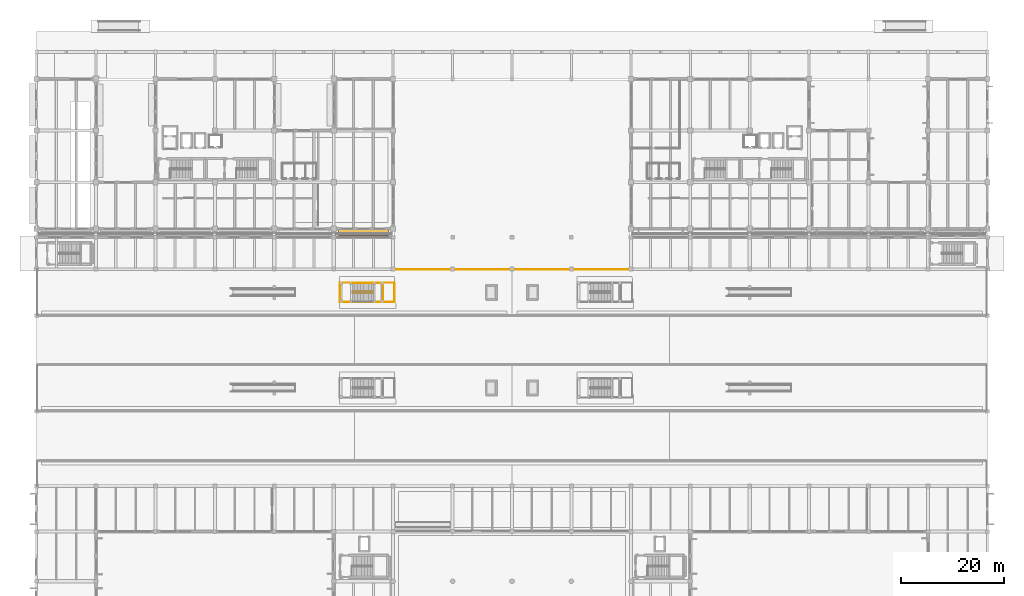
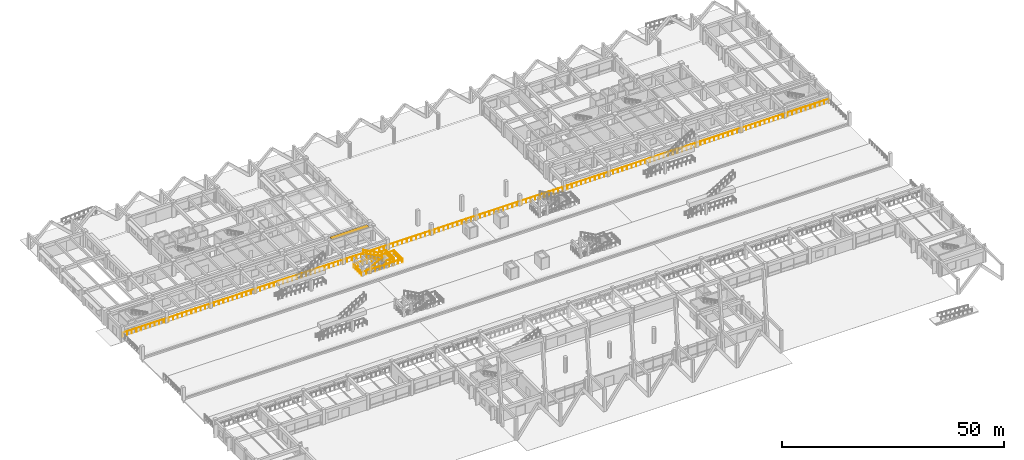
# One storey, part 103 of 109: 5 railings, 1 shading device.
"""IFC4 building model written with IfcOpenShell, lengths in metres."""

from ifc_helpers import new_model, si_unit, direction, frame, origin, origin_2d, place, context, subcontext, project, spatial, rectangle, circle, extrude, material, layer, layer_set, type_object, element, save


model = new_model("IFC4")

# Units and contexts
model_context = context("Model", 3, precision=1e-05, world=origin(), true_north=direction((0.0, 1.0)))
body_context = subcontext(model_context, "Body", "Model", "MODEL_VIEW")
ifc_project = project(units=[si_unit("LENGTHUNIT", "METRE"), si_unit("AREAUNIT", "SQUARE_METRE"), si_unit("VOLUMEUNIT", "CUBIC_METRE"), si_unit("PLANEANGLEUNIT", "RADIAN"), si_unit("MASSUNIT", "GRAM", prefix="KILO")], contexts=[model_context])

# Site, building, storey
site_placement = place(None, origin())
site = spatial("IfcSite", under=ifc_project, at=site_placement, CompositionType="ELEMENT")
building_placement = place(site_placement, origin())
building = spatial("IfcBuilding", under=site, at=building_placement, Name="Ologun Quay Terminus", CompositionType="ELEMENT")
storey_placement = place(building_placement, origin())
storey = spatial("IfcBuildingStorey", under=building, at=storey_placement, Name="L00", CompositionType="ELEMENT", Elevation=0.0)

# Railing
ifc_material_1 = material(Name="Glass", Category="glass")
railing_type_1 = type_object("IfcRailingType", Name="Concourse & Atrium Glazed Balustrade 1150", PredefinedType="BALUSTRADE", material=ifc_material_1)
railing_1_placement = place(storey_placement, frame((0.1201171875, 77.919921875, 1.25)))
element("IfcRailing", 1, at=railing_1_placement, inside=storey, type_object=railing_type_1, Name="BL-GL Platforms 2 and 4 North Edge Guard L00", PredefinedType="BALUSTRADE", context=body_context, shape_type="SweptSolid", body=[
    extrude(circle(Radius=0.02392578125, at=origin_2d()), frame((0.0, 0.0, 1.1259765625), z_axis=(1.0, 0.0, 0.0), x_axis=(0.0, 1.0, 0.0)), (0.0, 0.0, 1.0), 183.759765625),
    extrude(circle(Radius=0.02099609375, at=origin_2d()), origin(), (0.0, 0.0, 1.0), 1.101806640625),
    extrude(circle(Radius=0.02099609375, at=origin_2d()), frame((1.193359375, 0.0, 0.0)), (0.0, 0.0, 1.0), 1.101806640625),
    extrude(circle(Radius=0.02099609375, at=origin_2d()), frame((2.386474609375, 0.0, 0.0)), (0.0, 0.0, 1.0), 1.101806640625),
    extrude(circle(Radius=0.02099609375, at=origin_2d()), frame((3.579833984375, 0.0, 0.0)), (0.0, 0.0, 1.0), 1.101806640625),
    extrude(circle(Radius=0.02099609375, at=origin_2d()), frame((4.77294921875, 0.0, 0.0)), (0.0, 0.0, 1.0), 1.101806640625),
    extrude(circle(Radius=0.02099609375, at=origin_2d()), frame((5.96630859375, 0.0, 0.0)), (0.0, 0.0, 1.0), 1.101806640625),
    extrude(circle(Radius=0.02099609375, at=origin_2d()), frame((7.159423828125, 0.0, 0.0)), (0.0, 0.0, 1.0), 1.101806640625),
    extrude(circle(Radius=0.02099609375, at=origin_2d()), frame((8.352783203125, 0.0, 0.0)), (0.0, 0.0, 1.0), 1.101806640625),
    extrude(circle(Radius=0.02099609375, at=origin_2d()), frame((9.5458984375, 0.0, 0.0)), (0.0, 0.0, 1.0), 1.101806640625),
    extrude(circle(Radius=0.02099609375, at=origin_2d()), frame((10.7392578125, 0.0, 0.0)), (0.0, 0.0, 1.0), 1.101806640625),
    extrude(circle(Radius=0.02099609375, at=origin_2d()), frame((11.932373046875, 0.0, 0.0)), (0.0, 0.0, 1.0), 1.101806640625),
    extrude(circle(Radius=0.02099609375, at=origin_2d()), frame((13.125732421875, 0.0, 0.0)), (0.0, 0.0, 1.0), 1.101806640625),
    extrude(circle(Radius=0.02099609375, at=origin_2d()), frame((14.31884765625, 0.0, 0.0)), (0.0, 0.0, 1.0), 1.101806640625),
    extrude(circle(Radius=0.02099609375, at=origin_2d()), frame((15.51220703125, 0.0, 0.0)), (0.0, 0.0, 1.0), 1.101806640625),
    extrude(circle(Radius=0.02099609375, at=origin_2d()), frame((16.705322265625, 0.0, 0.0)), (0.0, 0.0, 1.0), 1.101806640625),
    extrude(circle(Radius=0.02099609375, at=origin_2d()), frame((17.898681640625, 0.0, 0.0)), (0.0, 0.0, 1.0), 1.101806640625),
    extrude(circle(Radius=0.02099609375, at=origin_2d()), frame((19.092041015625, 0.0, 0.0)), (0.0, 0.0, 1.0), 1.101806640625),
    extrude(circle(Radius=0.02099609375, at=origin_2d()), frame((20.28515625, 0.0, 0.0)), (0.0, 0.0, 1.0), 1.101806640625),
    extrude(circle(Radius=0.02099609375, at=origin_2d()), frame((21.478515625, 0.0, 0.0)), (0.0, 0.0, 1.0), 1.101806640625),
    extrude(circle(Radius=0.02099609375, at=origin_2d()), frame((22.671630859375, 0.0, 0.0)), (0.0, 0.0, 1.0), 1.101806640625),
    extrude(circle(Radius=0.02099609375, at=origin_2d()), frame((23.864990234375, 0.0, 0.0)), (0.0, 0.0, 1.0), 1.101806640625),
    extrude(circle(Radius=0.02099609375, at=origin_2d()), frame((25.05810546875, 0.0, 0.0)), (0.0, 0.0, 1.0), 1.101806640625),
    extrude(circle(Radius=0.02099609375, at=origin_2d()), frame((26.25146484375, 0.0, 0.0)), (0.0, 0.0, 1.0), 1.101806640625),
    extrude(circle(Radius=0.02099609375, at=origin_2d()), frame((27.444580078125, 0.0, 0.0)), (0.0, 0.0, 1.0), 1.101806640625),
    extrude(circle(Radius=0.02099609375, at=origin_2d()), frame((28.637939453125, 0.0, 0.0)), (0.0, 0.0, 1.0), 1.101806640625),
    extrude(circle(Radius=0.02099609375, at=origin_2d()), frame((29.8310546875, 0.0, 0.0)), (0.0, 0.0, 1.0), 1.101806640625),
    extrude(circle(Radius=0.02099609375, at=origin_2d()), frame((31.0244140625, 0.0, 0.0)), (0.0, 0.0, 1.0), 1.101806640625),
    extrude(circle(Radius=0.02099609375, at=origin_2d()), frame((32.217529296875, 0.0, 0.0)), (0.0, 0.0, 1.0), 1.101806640625),
    extrude(circle(Radius=0.02099609375, at=origin_2d()), frame((33.410888671875, 0.0, 0.0)), (0.0, 0.0, 1.0), 1.101806640625),
    extrude(circle(Radius=0.02099609375, at=origin_2d()), frame((34.60400390625, 0.0, 0.0)), (0.0, 0.0, 1.0), 1.101806640625),
    extrude(circle(Radius=0.02099609375, at=origin_2d()), frame((35.79736328125, 0.0, 0.0)), (0.0, 0.0, 1.0), 1.101806640625),
    extrude(circle(Radius=0.02099609375, at=origin_2d()), frame((36.99072265625, 0.0, 0.0)), (0.0, 0.0, 1.0), 1.101806640625),
    extrude(circle(Radius=0.02099609375, at=origin_2d()), frame((38.183837890625, 0.0, 0.0)), (0.0, 0.0, 1.0), 1.101806640625),
    extrude(circle(Radius=0.02099609375, at=origin_2d()), frame((39.377197265625, 0.0, 0.0)), (0.0, 0.0, 1.0), 1.101806640625),
    extrude(circle(Radius=0.02099609375, at=origin_2d()), frame((40.5703125, 0.0, 0.0)), (0.0, 0.0, 1.0), 1.101806640625),
    extrude(circle(Radius=0.02099609375, at=origin_2d()), frame((41.763671875, 0.0, 0.0)), (0.0, 0.0, 1.0), 1.101806640625),
    extrude(circle(Radius=0.02099609375, at=origin_2d()), frame((42.956787109375, 0.0, 0.0)), (0.0, 0.0, 1.0), 1.101806640625),
    extrude(circle(Radius=0.02099609375, at=origin_2d()), frame((44.150146484375, 0.0, 0.0)), (0.0, 0.0, 1.0), 1.101806640625),
    extrude(circle(Radius=0.02099609375, at=origin_2d()), frame((45.34326171875, 0.0, 0.0)), (0.0, 0.0, 1.0), 1.101806640625),
    extrude(circle(Radius=0.02099609375, at=origin_2d()), frame((46.53662109375, 0.0, 0.0)), (0.0, 0.0, 1.0), 1.101806640625),
    extrude(circle(Radius=0.02099609375, at=origin_2d()), frame((47.729736328125, 0.0, 0.0)), (0.0, 0.0, 1.0), 1.101806640625),
    extrude(circle(Radius=0.02099609375, at=origin_2d()), frame((48.923095703125, 0.0, 0.0)), (0.0, 0.0, 1.0), 1.101806640625),
    extrude(circle(Radius=0.02099609375, at=origin_2d()), frame((50.1162109375, 0.0, 0.0)), (0.0, 0.0, 1.0), 1.101806640625),
    extrude(circle(Radius=0.02099609375, at=origin_2d()), frame((51.3095703125, 0.0, 0.0)), (0.0, 0.0, 1.0), 1.101806640625),
    extrude(circle(Radius=0.02099609375, at=origin_2d()), frame((52.502685546875, 0.0, 0.0)), (0.0, 0.0, 1.0), 1.101806640625),
    extrude(circle(Radius=0.02099609375, at=origin_2d()), frame((53.696044921875, 0.0, 0.0)), (0.0, 0.0, 1.0), 1.101806640625),
    extrude(circle(Radius=0.02099609375, at=origin_2d()), frame((54.88916015625, 0.0, 0.0)), (0.0, 0.0, 1.0), 1.101806640625),
    extrude(circle(Radius=0.02099609375, at=origin_2d()), frame((56.08251953125, 0.0, 0.0)), (0.0, 0.0, 1.0), 1.101806640625),
    extrude(circle(Radius=0.02099609375, at=origin_2d()), frame((57.27587890625, 0.0, 0.0)), (0.0, 0.0, 1.0), 1.101806640625),
    extrude(circle(Radius=0.02099609375, at=origin_2d()), frame((58.468994140625, 0.0, 0.0)), (0.0, 0.0, 1.0), 1.101806640625),
    extrude(circle(Radius=0.02099609375, at=origin_2d()), frame((59.662353515625, 0.0, 0.0)), (0.0, 0.0, 1.0), 1.101806640625),
    extrude(circle(Radius=0.02099609375, at=origin_2d()), frame((60.85546875, 0.0, 0.0)), (0.0, 0.0, 1.0), 1.101806640625),
    extrude(circle(Radius=0.02099609375, at=origin_2d()), frame((62.048828125, 0.0, 0.0)), (0.0, 0.0, 1.0), 1.101806640625),
    extrude(circle(Radius=0.02099609375, at=origin_2d()), frame((63.241943359375, 0.0, 0.0)), (0.0, 0.0, 1.0), 1.101806640625),
    extrude(circle(Radius=0.02099609375, at=origin_2d()), frame((64.435302734375, 0.0, 0.0)), (0.0, 0.0, 1.0), 1.101806640625),
    extrude(circle(Radius=0.02099609375, at=origin_2d()), frame((65.62841796875, 0.0, 0.0)), (0.0, 0.0, 1.0), 1.101806640625),
    extrude(circle(Radius=0.02099609375, at=origin_2d()), frame((66.82177734375, 0.0, 0.0)), (0.0, 0.0, 1.0), 1.101806640625),
    extrude(circle(Radius=0.02099609375, at=origin_2d()), frame((68.014892578125, 0.0, 0.0)), (0.0, 0.0, 1.0), 1.101806640625),
    extrude(circle(Radius=0.02099609375, at=origin_2d()), frame((69.208251953125, 0.0, 0.0)), (0.0, 0.0, 1.0), 1.101806640625),
    extrude(circle(Radius=0.02099609375, at=origin_2d()), frame((70.4013671875, 0.0, 0.0)), (0.0, 0.0, 1.0), 1.101806640625),
    extrude(circle(Radius=0.02099609375, at=origin_2d()), frame((71.5947265625, 0.0, 0.0)), (0.0, 0.0, 1.0), 1.101806640625),
    extrude(circle(Radius=0.02099609375, at=origin_2d()), frame((72.787841796875, 0.0, 0.0)), (0.0, 0.0, 1.0), 1.101806640625),
    extrude(circle(Radius=0.02099609375, at=origin_2d()), frame((73.981201171875, 0.0, 0.0)), (0.0, 0.0, 1.0), 1.101806640625),
    extrude(circle(Radius=0.02099609375, at=origin_2d()), frame((75.174560546875, 0.0, 0.0)), (0.0, 0.0, 1.0), 1.101806640625),
    extrude(circle(Radius=0.02099609375, at=origin_2d()), frame((76.36767578125, 0.0, 0.0)), (0.0, 0.0, 1.0), 1.101806640625),
    extrude(circle(Radius=0.02099609375, at=origin_2d()), frame((77.56103515625, 0.0, 0.0)), (0.0, 0.0, 1.0), 1.101806640625),
    extrude(circle(Radius=0.02099609375, at=origin_2d()), frame((78.754150390625, 0.0, 0.0)), (0.0, 0.0, 1.0), 1.101806640625),
    extrude(circle(Radius=0.02099609375, at=origin_2d()), frame((79.947509765625, 0.0, 0.0)), (0.0, 0.0, 1.0), 1.101806640625),
    extrude(circle(Radius=0.02099609375, at=origin_2d()), frame((81.140625, 0.0, 0.0)), (0.0, 0.0, 1.0), 1.101806640625),
    extrude(circle(Radius=0.02099609375, at=origin_2d()), frame((82.333984375, 0.0, 0.0)), (0.0, 0.0, 1.0), 1.101806640625),
    extrude(circle(Radius=0.02099609375, at=origin_2d()), frame((83.527099609375, 0.0, 0.0)), (0.0, 0.0, 1.0), 1.101806640625),
    extrude(circle(Radius=0.02099609375, at=origin_2d()), frame((84.720458984375, 0.0, 0.0)), (0.0, 0.0, 1.0), 1.101806640625),
    extrude(circle(Radius=0.02099609375, at=origin_2d()), frame((85.91357421875, 0.0, 0.0)), (0.0, 0.0, 1.0), 1.101806640625),
    extrude(circle(Radius=0.02099609375, at=origin_2d()), frame((87.10693359375, 0.0, 0.0)), (0.0, 0.0, 1.0), 1.101806640625),
    extrude(circle(Radius=0.02099609375, at=origin_2d()), frame((88.300048828125, 0.0, 0.0)), (0.0, 0.0, 1.0), 1.101806640625),
    extrude(circle(Radius=0.02099609375, at=origin_2d()), frame((89.493408203125, 0.0, 0.0)), (0.0, 0.0, 1.0), 1.101806640625),
    extrude(circle(Radius=0.02099609375, at=origin_2d()), frame((90.6865234375, 0.0, 0.0)), (0.0, 0.0, 1.0), 1.101806640625),
    extrude(circle(Radius=0.02099609375, at=origin_2d()), frame((91.8798828125, 0.0, 0.0)), (0.0, 0.0, 1.0), 1.101806640625),
    extrude(circle(Radius=0.02099609375, at=origin_2d()), frame((93.0732421875, 0.0, 0.0)), (0.0, 0.0, 1.0), 1.101806640625),
    extrude(circle(Radius=0.02099609375, at=origin_2d()), frame((94.266357421875, 0.0, 0.0)), (0.0, 0.0, 1.0), 1.101806640625),
    extrude(circle(Radius=0.02099609375, at=origin_2d()), frame((95.459716796875, 0.0, 0.0)), (0.0, 0.0, 1.0), 1.101806640625),
    extrude(circle(Radius=0.02099609375, at=origin_2d()), frame((96.65283203125, 0.0, 0.0)), (0.0, 0.0, 1.0), 1.101806640625),
    extrude(circle(Radius=0.02099609375, at=origin_2d()), frame((97.84619140625, 0.0, 0.0)), (0.0, 0.0, 1.0), 1.101806640625),
    extrude(circle(Radius=0.02099609375, at=origin_2d()), frame((99.039306640625, 0.0, 0.0)), (0.0, 0.0, 1.0), 1.101806640625),
    extrude(circle(Radius=0.02099609375, at=origin_2d()), frame((100.232666015625, 0.0, 0.0)), (0.0, 0.0, 1.0), 1.101806640625),
    extrude(circle(Radius=0.02099609375, at=origin_2d()), frame((101.42578125, 0.0, 0.0)), (0.0, 0.0, 1.0), 1.101806640625),
    extrude(circle(Radius=0.02099609375, at=origin_2d()), frame((102.619140625, 0.0, 0.0)), (0.0, 0.0, 1.0), 1.101806640625),
    extrude(circle(Radius=0.02099609375, at=origin_2d()), frame((103.812255859375, 0.0, 0.0)), (0.0, 0.0, 1.0), 1.101806640625),
    extrude(circle(Radius=0.02099609375, at=origin_2d()), frame((105.005615234375, 0.0, 0.0)), (0.0, 0.0, 1.0), 1.101806640625),
    extrude(circle(Radius=0.02099609375, at=origin_2d()), frame((106.19873046875, 0.0, 0.0)), (0.0, 0.0, 1.0), 1.101806640625),
    extrude(circle(Radius=0.02099609375, at=origin_2d()), frame((107.39208984375, 0.0, 0.0)), (0.0, 0.0, 1.0), 1.101806640625),
    extrude(circle(Radius=0.02099609375, at=origin_2d()), frame((108.585205078125, 0.0, 0.0)), (0.0, 0.0, 1.0), 1.101806640625),
    extrude(circle(Radius=0.02099609375, at=origin_2d()), frame((109.778564453125, 0.0, 0.0)), (0.0, 0.0, 1.0), 1.101806640625),
    extrude(circle(Radius=0.02099609375, at=origin_2d()), frame((110.971923828125, 0.0, 0.0)), (0.0, 0.0, 1.0), 1.101806640625),
    extrude(circle(Radius=0.02099609375, at=origin_2d()), frame((112.1650390625, 0.0, 0.0)), (0.0, 0.0, 1.0), 1.101806640625),
    extrude(circle(Radius=0.02099609375, at=origin_2d()), frame((113.3583984375, 0.0, 0.0)), (0.0, 0.0, 1.0), 1.101806640625),
    extrude(circle(Radius=0.02099609375, at=origin_2d()), frame((114.551513671875, 0.0, 0.0)), (0.0, 0.0, 1.0), 1.101806640625),
    extrude(circle(Radius=0.02099609375, at=origin_2d()), frame((115.744873046875, 0.0, 0.0)), (0.0, 0.0, 1.0), 1.101806640625),
    extrude(circle(Radius=0.02099609375, at=origin_2d()), frame((116.93798828125, 0.0, 0.0)), (0.0, 0.0, 1.0), 1.101806640625),
    extrude(circle(Radius=0.02099609375, at=origin_2d()), frame((118.13134765625, 0.0, 0.0)), (0.0, 0.0, 1.0), 1.101806640625),
    extrude(circle(Radius=0.02099609375, at=origin_2d()), frame((119.324462890625, 0.0, 0.0)), (0.0, 0.0, 1.0), 1.101806640625),
    extrude(circle(Radius=0.02099609375, at=origin_2d()), frame((120.517822265625, 0.0, 0.0)), (0.0, 0.0, 1.0), 1.101806640625),
    extrude(circle(Radius=0.02099609375, at=origin_2d()), frame((121.7109375, 0.0, 0.0)), (0.0, 0.0, 1.0), 1.101806640625),
    extrude(circle(Radius=0.02099609375, at=origin_2d()), frame((122.904296875, 0.0, 0.0)), (0.0, 0.0, 1.0), 1.101806640625),
    extrude(circle(Radius=0.02099609375, at=origin_2d()), frame((124.097412109375, 0.0, 0.0)), (0.0, 0.0, 1.0), 1.101806640625),
    extrude(circle(Radius=0.02099609375, at=origin_2d()), frame((125.290771484375, 0.0, 0.0)), (0.0, 0.0, 1.0), 1.101806640625),
    extrude(circle(Radius=0.02099609375, at=origin_2d()), frame((126.48388671875, 0.0, 0.0)), (0.0, 0.0, 1.0), 1.101806640625),
    extrude(circle(Radius=0.02099609375, at=origin_2d()), frame((127.67724609375, 0.0, 0.0)), (0.0, 0.0, 1.0), 1.101806640625),
    extrude(circle(Radius=0.02099609375, at=origin_2d()), frame((128.87060546875, 0.0, 0.0)), (0.0, 0.0, 1.0), 1.101806640625),
    extrude(circle(Radius=0.02099609375, at=origin_2d()), frame((130.063720703125, 0.0, 0.0)), (0.0, 0.0, 1.0), 1.101806640625),
    extrude(circle(Radius=0.02099609375, at=origin_2d()), frame((131.257080078125, 0.0, 0.0)), (0.0, 0.0, 1.0), 1.101806640625),
    extrude(circle(Radius=0.02099609375, at=origin_2d()), frame((132.4501953125, 0.0, 0.0)), (0.0, 0.0, 1.0), 1.101806640625),
    extrude(circle(Radius=0.02099609375, at=origin_2d()), frame((133.6435546875, 0.0, 0.0)), (0.0, 0.0, 1.0), 1.101806640625),
    extrude(circle(Radius=0.02099609375, at=origin_2d()), frame((134.836669921875, 0.0, 0.0)), (0.0, 0.0, 1.0), 1.101806640625),
    extrude(circle(Radius=0.02099609375, at=origin_2d()), frame((136.030029296875, 0.0, 0.0)), (0.0, 0.0, 1.0), 1.101806640625),
    extrude(circle(Radius=0.02099609375, at=origin_2d()), frame((137.22314453125, 0.0, 0.0)), (0.0, 0.0, 1.0), 1.101806640625),
    extrude(circle(Radius=0.02099609375, at=origin_2d()), frame((138.41650390625, 0.0, 0.0)), (0.0, 0.0, 1.0), 1.101806640625),
    extrude(circle(Radius=0.02099609375, at=origin_2d()), frame((139.609619140625, 0.0, 0.0)), (0.0, 0.0, 1.0), 1.101806640625),
    extrude(circle(Radius=0.02099609375, at=origin_2d()), frame((140.802978515625, 0.0, 0.0)), (0.0, 0.0, 1.0), 1.101806640625),
    extrude(circle(Radius=0.02099609375, at=origin_2d()), frame((141.99609375, 0.0, 0.0)), (0.0, 0.0, 1.0), 1.101806640625),
    extrude(circle(Radius=0.02099609375, at=origin_2d()), frame((143.189453125, 0.0, 0.0)), (0.0, 0.0, 1.0), 1.101806640625),
    extrude(circle(Radius=0.02099609375, at=origin_2d()), frame((144.382568359375, 0.0, 0.0)), (0.0, 0.0, 1.0), 1.101806640625),
    extrude(circle(Radius=0.02099609375, at=origin_2d()), frame((145.575927734375, 0.0, 0.0)), (0.0, 0.0, 1.0), 1.101806640625),
    extrude(circle(Radius=0.02099609375, at=origin_2d()), frame((146.76904296875, 0.0, 0.0)), (0.0, 0.0, 1.0), 1.101806640625),
    extrude(circle(Radius=0.02099609375, at=origin_2d()), frame((147.96240234375, 0.0, 0.0)), (0.0, 0.0, 1.0), 1.101806640625),
    extrude(circle(Radius=0.02099609375, at=origin_2d()), frame((149.15576171875, 0.0, 0.0)), (0.0, 0.0, 1.0), 1.101806640625),
    extrude(circle(Radius=0.02099609375, at=origin_2d()), frame((150.348876953125, 0.0, 0.0)), (0.0, 0.0, 1.0), 1.101806640625),
    extrude(circle(Radius=0.02099609375, at=origin_2d()), frame((151.542236328125, 0.0, 0.0)), (0.0, 0.0, 1.0), 1.101806640625),
    extrude(circle(Radius=0.02099609375, at=origin_2d()), frame((152.7353515625, 0.0, 0.0)), (0.0, 0.0, 1.0), 1.101806640625),
    extrude(circle(Radius=0.02099609375, at=origin_2d()), frame((153.9287109375, 0.0, 0.0)), (0.0, 0.0, 1.0), 1.101806640625),
    extrude(circle(Radius=0.02099609375, at=origin_2d()), frame((155.121826171875, 0.0, 0.0)), (0.0, 0.0, 1.0), 1.101806640625),
    extrude(circle(Radius=0.02099609375, at=origin_2d()), frame((156.315185546875, 0.0, 0.0)), (0.0, 0.0, 1.0), 1.101806640625),
    extrude(circle(Radius=0.02099609375, at=origin_2d()), frame((157.50830078125, 0.0, 0.0)), (0.0, 0.0, 1.0), 1.101806640625),
    extrude(circle(Radius=0.02099609375, at=origin_2d()), frame((158.70166015625, 0.0, 0.0)), (0.0, 0.0, 1.0), 1.101806640625),
    extrude(circle(Radius=0.02099609375, at=origin_2d()), frame((159.894775390625, 0.0, 0.0)), (0.0, 0.0, 1.0), 1.101806640625),
    extrude(circle(Radius=0.02099609375, at=origin_2d()), frame((161.088134765625, 0.0, 0.0)), (0.0, 0.0, 1.0), 1.101806640625),
    extrude(circle(Radius=0.02099609375, at=origin_2d()), frame((162.28125, 0.0, 0.0)), (0.0, 0.0, 1.0), 1.101806640625),
    extrude(circle(Radius=0.02099609375, at=origin_2d()), frame((163.474609375, 0.0, 0.0)), (0.0, 0.0, 1.0), 1.101806640625),
    extrude(circle(Radius=0.02099609375, at=origin_2d()), frame((164.667724609375, 0.0, 0.0)), (0.0, 0.0, 1.0), 1.101806640625),
    extrude(circle(Radius=0.02099609375, at=origin_2d()), frame((165.861083984375, 0.0, 0.0)), (0.0, 0.0, 1.0), 1.101806640625),
    extrude(circle(Radius=0.02099609375, at=origin_2d()), frame((167.054443359375, 0.0, 0.0)), (0.0, 0.0, 1.0), 1.101806640625),
    extrude(circle(Radius=0.02099609375, at=origin_2d()), frame((168.24755859375, 0.0, 0.0)), (0.0, 0.0, 1.0), 1.101806640625),
    extrude(circle(Radius=0.02099609375, at=origin_2d()), frame((169.44091796875, 0.0, 0.0)), (0.0, 0.0, 1.0), 1.101806640625),
    extrude(circle(Radius=0.02099609375, at=origin_2d()), frame((170.634033203125, 0.0, 0.0)), (0.0, 0.0, 1.0), 1.101806640625),
    extrude(circle(Radius=0.02099609375, at=origin_2d()), frame((171.827392578125, 0.0, 0.0)), (0.0, 0.0, 1.0), 1.101806640625),
    extrude(circle(Radius=0.02099609375, at=origin_2d()), frame((173.0205078125, 0.0, 0.0)), (0.0, 0.0, 1.0), 1.101806640625),
    extrude(circle(Radius=0.02099609375, at=origin_2d()), frame((174.2138671875, 0.0, 0.0)), (0.0, 0.0, 1.0), 1.101806640625),
    extrude(circle(Radius=0.02099609375, at=origin_2d()), frame((175.406982421875, 0.0, 0.0)), (0.0, 0.0, 1.0), 1.101806640625),
    extrude(circle(Radius=0.02099609375, at=origin_2d()), frame((176.600341796875, 0.0, 0.0)), (0.0, 0.0, 1.0), 1.101806640625),
    extrude(circle(Radius=0.02099609375, at=origin_2d()), frame((177.79345703125, 0.0, 0.0)), (0.0, 0.0, 1.0), 1.101806640625),
    extrude(circle(Radius=0.02099609375, at=origin_2d()), frame((178.98681640625, 0.0, 0.0)), (0.0, 0.0, 1.0), 1.101806640625),
    extrude(circle(Radius=0.02099609375, at=origin_2d()), frame((180.179931640625, 0.0, 0.0)), (0.0, 0.0, 1.0), 1.101806640625),
    extrude(circle(Radius=0.02099609375, at=origin_2d()), frame((181.373291015625, 0.0, 0.0)), (0.0, 0.0, 1.0), 1.101806640625),
    extrude(circle(Radius=0.02099609375, at=origin_2d()), frame((182.56640625, 0.0, 0.0)), (0.0, 0.0, 1.0), 1.101806640625),
    extrude(circle(Radius=0.02099609375, at=origin_2d()), frame((183.759765625, 0.0, 0.0)), (0.0, 0.0, 1.0), 1.101806640625),
])

# Shading device
ifc_material_2 = material(Name="Aluminium 6063-T6", Category="aluminium")
ifc_layer = layer(ifc_material_2, 0.10009765625)
ifc_layer_set = layer_set([ifc_layer], Name="Aluminium 6063-T6")
shading_device_type = type_object("IfcShadingDeviceType", Name="Deep Waterfront Brise-Soleil Blade 1200", PredefinedType="JALOUSIE", material=ifc_layer_set)
shading_device_placement = place(storey_placement, frame((63.25, 85.070068359375, 3.530029296875), z_axis=(0.0, 0.0, 1.0), x_axis=(1.0, 0.0, 0.0)))
element("IfcShadingDevice", 2, at=shading_device_placement, inside=storey, type_object=shading_device_type, Name="SD-02 Sun-Hood WEW-WW-O-L00-6", PredefinedType="JALOUSIE", context=body_context, shape_type="SweptSolid", body=[
    extrude(rectangle(XDim=9.659912109375, YDim=1.199951171875, at=origin_2d()), origin(), (0.0, 0.0, 1.0), 0.10009765625),
])

# Railings
ifc_material_3 = material(Name="Steel S355", Category="steel")
railing_type_2 = type_object("IfcRailingType", Name="Stair & Landing Steel Guardrail 1100", PredefinedType="GUARDRAIL", material=ifc_material_3)
railing_2_placement = place(storey_placement, frame((61.199951171875, 73.35009765625, 0.0)))
element("IfcRailing", 3, at=railing_2_placement, inside=storey, type_object=railing_type_2, Name="GR-ST Stair Inner Well Guard ST-P3 L00", PredefinedType="GUARDRAIL", context=body_context, shape_type="SweptSolid", body=[
    extrude(circle(Radius=0.02392578125, at=origin_2d()), frame((0.0, 0.0, 1.076171875), z_axis=(0.881967403671, 0.0, 0.471310406062), x_axis=(0.0, 1.0, 0.0)), (0.0, 0.0, 1.0), 4.455810546875),
    extrude(circle(Radius=0.02392578125, at=origin_2d()), frame((3.929931640625, 0.0, 3.17626953125), z_axis=(0.0, 1.0, 0.0), x_axis=(-1.0, 0.0, 0.0)), (0.0, 0.0, 1.0), 0.2998046875),
    extrude(circle(Radius=0.02392578125, at=origin_2d()), frame((3.929931640625, 0.2998046875, 3.17626953125), z_axis=(-0.881990178689, 0.0, 0.471267784488), x_axis=(0.0, -1.0, 0.0)), (0.0, 0.0, 1.0), 4.455810546875),
    extrude(circle(Radius=0.02099609375, at=origin_2d()), origin(), (0.0, 0.0, 1.0), 1.052001953125),
    extrude(circle(Radius=0.02099609375, at=origin_2d()), frame((0.982421875, 0.0, 0.52490234375)), (0.0, 0.0, 1.0), 1.052001953125),
    extrude(circle(Radius=0.02099609375, at=origin_2d()), frame((1.96484375, 0.0, 1.050048828125)), (0.0, 0.0, 1.0), 1.052001953125),
    extrude(circle(Radius=0.02099609375, at=origin_2d()), frame((2.947509765625, 0.0, 1.5751953125)), (0.0, 0.0, 1.0), 1.052001953125),
    extrude(circle(Radius=0.02099609375, at=origin_2d()), frame((3.929931640625, 0.0, 2.10009765625)), (0.0, 0.0, 1.0), 1.052001953125),
    extrude(circle(Radius=0.02099609375, at=origin_2d()), frame((3.929931640625, 0.2998046875, 2.10009765625)), (0.0, 0.0, 1.0), 1.052001953125),
    extrude(circle(Radius=0.02099609375, at=origin_2d()), frame((2.947509765625, 0.2998046875, 2.625)), (0.0, 0.0, 1.0), 1.052001953125),
    extrude(circle(Radius=0.02099609375, at=origin_2d()), frame((1.96484375, 0.2998046875, 3.14990234375)), (0.0, 0.0, 1.0), 1.052001953125),
    extrude(circle(Radius=0.02099609375, at=origin_2d()), frame((0.982421875, 0.2998046875, 3.675048828125)), (0.0, 0.0, 1.0), 1.052001953125),
    extrude(circle(Radius=0.02099609375, at=origin_2d()), frame((0.0, 0.2998046875, 4.199951171875)), (0.0, 0.0, 1.0), 1.052001953125),
])
railing_3_placement = place(storey_placement, frame((58.719970703125, 75.300048828125, 1.25)))
element("IfcRailing", 4, at=railing_3_placement, inside=storey, type_object=railing_type_2, Name="GR-ST Platform Pocket Guard ST-P3 L00", PredefinedType="GUARDRAIL", context=body_context, shape_type="SweptSolid", body=[
    extrude(circle(Radius=0.02392578125, at=origin_2d()), frame((0.0, 0.0, 1.076171875), z_axis=(0.0, -1.0, 0.0), x_axis=(1.0, 0.0, 0.0)), (0.0, 0.0, 1.0), 3.679931640625),
    extrude(circle(Radius=0.02392578125, at=origin_2d()), frame((0.0, -3.679931640625, 1.076171875), z_axis=(1.0, 0.0, 0.0), x_axis=(0.0, 1.0, 0.0)), (0.0, 0.0, 1.0), 10.56005859375),
    extrude(circle(Radius=0.02392578125, at=origin_2d()), frame((10.56005859375, -3.679931640625, 1.076171875), z_axis=(0.0, 1.0, 0.0), x_axis=(-1.0, 0.0, 0.0)), (0.0, 0.0, 1.0), 3.759765625),
    extrude(circle(Radius=0.02392578125, at=origin_2d()), frame((10.56005859375, 0.079833984375, 1.076171875), z_axis=(-1.0, 0.0, 0.0), x_axis=(0.0, -1.0, 0.0)), (0.0, 0.0, 1.0), 10.47998046875),
    extrude(circle(Radius=0.02099609375, at=origin_2d()), origin(), (0.0, 0.0, 1.0), 1.052001953125),
    extrude(circle(Radius=0.02099609375, at=origin_2d()), frame((0.0, -0.919921875, 0.0)), (0.0, 0.0, 1.0), 1.052001953125),
    extrude(circle(Radius=0.02099609375, at=origin_2d()), frame((0.0, -1.83984375, 0.0)), (0.0, 0.0, 1.0), 1.052001953125),
    extrude(circle(Radius=0.02099609375, at=origin_2d()), frame((0.0, -2.760009765625, 0.0)), (0.0, 0.0, 1.0), 1.052001953125),
    extrude(circle(Radius=0.02099609375, at=origin_2d()), frame((0.0, -3.679931640625, 0.0)), (0.0, 0.0, 1.0), 1.052001953125),
    extrude(circle(Radius=0.02099609375, at=origin_2d()), frame((1.17333984375, -3.679931640625, 0.0)), (0.0, 0.0, 1.0), 1.052001953125),
    extrude(circle(Radius=0.02099609375, at=origin_2d()), frame((2.3466796875, -3.679931640625, 0.0)), (0.0, 0.0, 1.0), 1.052001953125),
    extrude(circle(Radius=0.02099609375, at=origin_2d()), frame((3.52001953125, -3.679931640625, 0.0)), (0.0, 0.0, 1.0), 1.052001953125),
    extrude(circle(Radius=0.02099609375, at=origin_2d()), frame((4.693359375, -3.679931640625, 0.0)), (0.0, 0.0, 1.0), 1.052001953125),
    extrude(circle(Radius=0.02099609375, at=origin_2d()), frame((5.86669921875, -3.679931640625, 0.0)), (0.0, 0.0, 1.0), 1.052001953125),
    extrude(circle(Radius=0.02099609375, at=origin_2d()), frame((7.0400390625, -3.679931640625, 0.0)), (0.0, 0.0, 1.0), 1.052001953125),
    extrude(circle(Radius=0.02099609375, at=origin_2d()), frame((8.21337890625, -3.679931640625, 0.0)), (0.0, 0.0, 1.0), 1.052001953125),
    extrude(circle(Radius=0.02099609375, at=origin_2d()), frame((9.38671875, -3.679931640625, 0.0)), (0.0, 0.0, 1.0), 1.052001953125),
    extrude(circle(Radius=0.02099609375, at=origin_2d()), frame((10.56005859375, -3.679931640625, 0.0)), (0.0, 0.0, 1.0), 1.052001953125),
    extrude(circle(Radius=0.02099609375, at=origin_2d()), frame((10.56005859375, -2.739990234375, 0.0)), (0.0, 0.0, 1.0), 1.052001953125),
    extrude(circle(Radius=0.02099609375, at=origin_2d()), frame((10.56005859375, -1.800048828125, 0.0)), (0.0, 0.0, 1.0), 1.052001953125),
    extrude(circle(Radius=0.02099609375, at=origin_2d()), frame((10.56005859375, -0.860107421875, 0.0)), (0.0, 0.0, 1.0), 1.052001953125),
    extrude(circle(Radius=0.02099609375, at=origin_2d()), frame((10.56005859375, 0.079833984375, 0.0)), (0.0, 0.0, 1.0), 1.052001953125),
    extrude(circle(Radius=0.02099609375, at=origin_2d()), frame((9.3955078125, 0.079833984375, 0.0)), (0.0, 0.0, 1.0), 1.052001953125),
    extrude(circle(Radius=0.02099609375, at=origin_2d()), frame((8.231201171875, 0.079833984375, 0.0)), (0.0, 0.0, 1.0), 1.052001953125),
    extrude(circle(Radius=0.02099609375, at=origin_2d()), frame((7.066650390625, 0.079833984375, 0.0)), (0.0, 0.0, 1.0), 1.052001953125),
    extrude(circle(Radius=0.02099609375, at=origin_2d()), frame((5.90234375, 0.079833984375, 0.0)), (0.0, 0.0, 1.0), 1.052001953125),
    extrude(circle(Radius=0.02099609375, at=origin_2d()), frame((4.73779296875, 0.079833984375, 0.0)), (0.0, 0.0, 1.0), 1.052001953125),
    extrude(circle(Radius=0.02099609375, at=origin_2d()), frame((3.573486328125, 0.079833984375, 0.0)), (0.0, 0.0, 1.0), 1.052001953125),
    extrude(circle(Radius=0.02099609375, at=origin_2d()), frame((2.408935546875, 0.079833984375, 0.0)), (0.0, 0.0, 1.0), 1.052001953125),
    extrude(circle(Radius=0.02099609375, at=origin_2d()), frame((1.24462890625, 0.079833984375, 0.0)), (0.0, 0.0, 1.0), 1.052001953125),
    extrude(circle(Radius=0.02099609375, at=origin_2d()), frame((0.080078125, 0.079833984375, 0.0)), (0.0, 0.0, 1.0), 1.052001953125),
])
ifc_material_4 = material(Name="Steel S355", Category="steel")
railing_type_3 = type_object("IfcRailingType", Name="Terrace & Quay Perimeter Guardrail 1150", PredefinedType="GUARDRAIL", material=ifc_material_4)
railing_4_placement = place(storey_placement, frame((65.030029296875, 71.699951171875, 2.10009765625)))
element("IfcRailing", 5, at=railing_4_placement, inside=storey, type_object=railing_type_3, Name="GR-TR Open Stair Half-Landing Guard ST-P3 L00", PredefinedType="GUARDRAIL", context=body_context, shape_type="SweptSolid", body=[
    extrude(circle(Radius=0.02392578125, at=origin_2d()), frame((0.0, 0.0, 1.1259765625), z_axis=(1.0, 0.0, 0.0), x_axis=(0.0, 1.0, 0.0)), (0.0, 0.0, 1.0), 2.080078125),
    extrude(circle(Radius=0.02392578125, at=origin_2d()), frame((2.080078125, 0.0, 1.1259765625), z_axis=(0.0, 1.0, 0.0), x_axis=(-1.0, 0.0, 0.0)), (0.0, 0.0, 1.0), 3.60009765625),
    extrude(circle(Radius=0.02392578125, at=origin_2d()), frame((2.080078125, 3.60009765625, 1.1259765625), z_axis=(-1.0, 0.0, 0.0), x_axis=(0.0, -1.0, 0.0)), (0.0, 0.0, 1.0), 2.080078125),
    extrude(circle(Radius=0.02099609375, at=origin_2d()), origin(), (0.0, 0.0, 1.0), 1.101806640625),
    extrude(circle(Radius=0.02099609375, at=origin_2d()), frame((1.0400390625, 0.0, 0.0)), (0.0, 0.0, 1.0), 1.101806640625),
    extrude(circle(Radius=0.02099609375, at=origin_2d()), frame((2.080078125, 0.0, 0.0)), (0.0, 0.0, 1.0), 1.101806640625),
    extrude(circle(Radius=0.02099609375, at=origin_2d()), frame((2.080078125, 0.89990234375, 0.0)), (0.0, 0.0, 1.0), 1.101806640625),
    extrude(circle(Radius=0.02099609375, at=origin_2d()), frame((2.080078125, 1.800048828125, 0.0)), (0.0, 0.0, 1.0), 1.101806640625),
    extrude(circle(Radius=0.02099609375, at=origin_2d()), frame((2.080078125, 2.7001953125, 0.0)), (0.0, 0.0, 1.0), 1.101806640625),
    extrude(circle(Radius=0.02099609375, at=origin_2d()), frame((2.080078125, 3.60009765625, 0.0)), (0.0, 0.0, 1.0), 1.101806640625),
    extrude(circle(Radius=0.02099609375, at=origin_2d()), frame((1.0400390625, 3.60009765625, 0.0)), (0.0, 0.0, 1.0), 1.101806640625),
    extrude(circle(Radius=0.02099609375, at=origin_2d()), frame((0.0, 3.60009765625, 0.0)), (0.0, 0.0, 1.0), 1.101806640625),
])
railing_5_placement = place(storey_placement, frame((61.199951171875, 75.300048828125, 4.199951171875)))
element("IfcRailing", 6, at=railing_5_placement, inside=storey, type_object=railing_type_3, Name="GR-TR Open Flight Outer Guard ST-P3-N L00", PredefinedType="GUARDRAIL", context=body_context, shape_type="SweptSolid", body=[
    extrude(circle(Radius=0.02392578125, at=origin_2d()), frame((0.0, 0.0, 1.1259765625), z_axis=(0.878955042315, 0.0, -0.476904637835), x_axis=(0.0, 1.0, 0.0)), (0.0, 0.0, 1.0), 4.403076171875),
    extrude(circle(Radius=0.02099609375, at=origin_2d()), origin(), (0.0, 0.0, 1.0), 1.101806640625),
    extrude(circle(Radius=0.02099609375, at=origin_2d()), frame((0.967529296875, 0.0, -0.52490234375)), (0.0, 0.0, 1.0), 1.101806640625),
    extrude(circle(Radius=0.02099609375, at=origin_2d()), frame((1.93505859375, 0.0, -1.0498046875)), (0.0, 0.0, 1.0), 1.101806640625),
    extrude(circle(Radius=0.02099609375, at=origin_2d()), frame((2.902587890625, 0.0, -1.574951171875)), (0.0, 0.0, 1.0), 1.101806640625),
    extrude(circle(Radius=0.02099609375, at=origin_2d()), frame((3.8701171875, 0.0, -2.099853515625)), (0.0, 0.0, 1.0), 1.101806640625),
])

save(model, "model.ifc")
